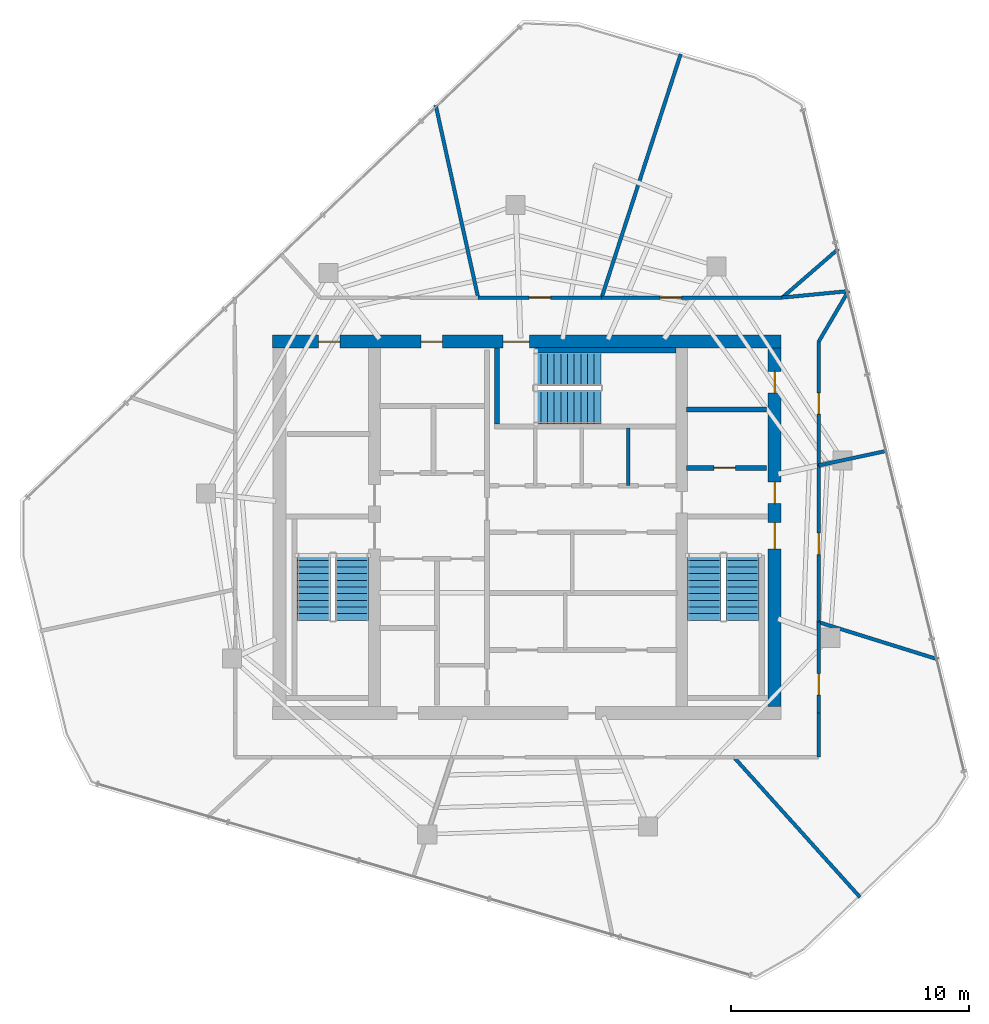
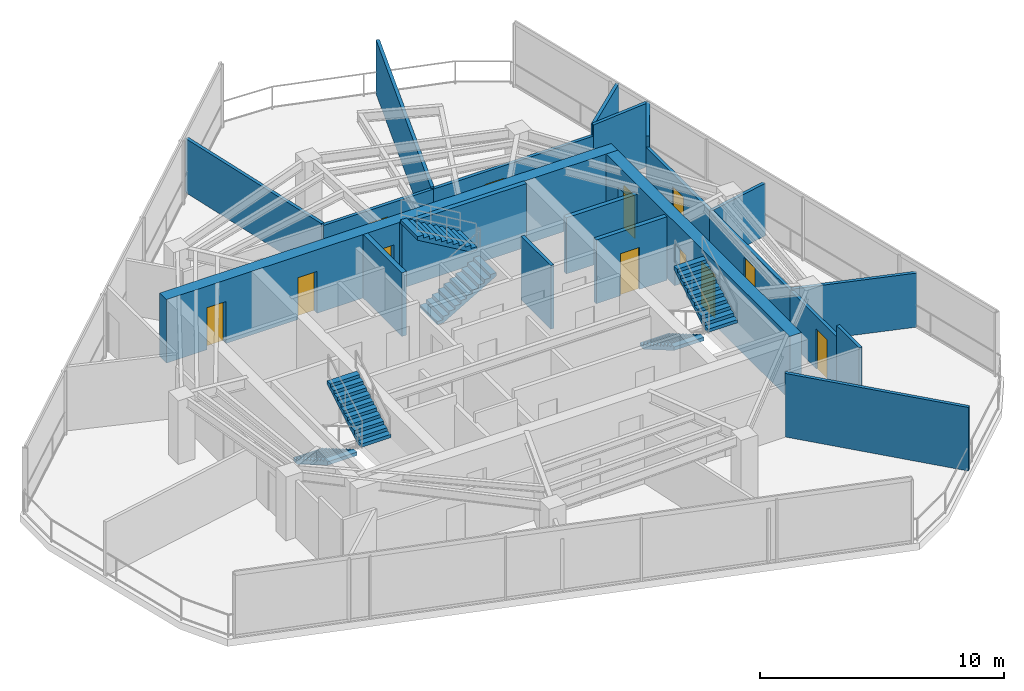
# One storey, part 16 of 19: 21 walls, 12 doors, 6 stair flights, 12 openings, 3 elements without a shape of their own.
"""IFC4 building model written with IfcOpenShell, lengths in metres."""

from ifc_helpers import new_model, si_unit, direction, frame, frame_2d, origin, place, context, subcontext, project, spatial, polyline, rectangle, outline, extrude, material, layer, layer_set, type_object, element, fill, aggregate, save


model = new_model("IFC4")

# Units and contexts
model_context = context("Model", 3, precision=1e-05, world=origin(), true_north=direction((0.0, 1.0)))
body_context = subcontext(model_context, "Body", "Model", "MODEL_VIEW")
ifc_project = project(units=[si_unit("LENGTHUNIT", "METRE"), si_unit("AREAUNIT", "SQUARE_METRE"), si_unit("VOLUMEUNIT", "CUBIC_METRE"), si_unit("PLANEANGLEUNIT", "RADIAN"), si_unit("MASSUNIT", "GRAM", prefix="KILO")], contexts=[model_context])

# Site, building, storey
site_placement = place(None, origin())
site = spatial("IfcSite", under=ifc_project, at=site_placement, CompositionType="ELEMENT")
building_placement = place(site_placement, origin())
building = spatial("IfcBuilding", under=site, at=building_placement, Name="Qarnah Convention Tower", CompositionType="ELEMENT")
storey_placement = place(building_placement, frame((0.0, 0.0, 231.89990234375)))
storey = spatial("IfcBuildingStorey", under=building, at=storey_placement, Name="L62", CompositionType="ELEMENT", Elevation=231.89990234375)

# Wall, openings, doors
ifc_material_1 = material(Name="Concrete C60/75", Category="concrete")
ifc_layer_1 = layer(ifc_material_1, 0.550048828125)
ifc_layer_set_1 = layer_set([ifc_layer_1], Name="Concrete C60/75")
wall_type_1 = type_object("IfcWallType", Name="WL-CORE-550", PredefinedType="SHEAR", material=ifc_layer_set_1)
wall_1_placement = place(storey_placement, frame((26.52490234375, 34.199951171875, 0.0), z_axis=(0.0, 0.0, 1.0), x_axis=(1.0, 0.0, 0.0)))
wall_1 = element("IfcWall", 1, at=wall_1_placement, inside=storey, type_object=wall_type_1, Name="L62 core north shear wall", PredefinedType="SHEAR", context=body_context, shape_type="SweptSolid", body=[
    extrude(rectangle(XDim=21.35009765625, YDim=0.550048828125, at=frame_2d((10.675048828125, 0.0))), origin(), (0.0, 0.0, 1.0), 3.18017578125),
])
opening_1_placement = place(wall_1_placement, frame((9.675048828125, 0.0, 0.0)))
opening_1 = element("IfcOpeningElement", 2, at=opening_1_placement, cuts=wall_1, Name="Opening D-6203", PredefinedType="OPENING", context=body_context, shape_type="SweptSolid", body=[
    extrude(rectangle(XDim=1.10009765625, YDim=2.14990234375, at=frame_2d((0.550048828125, 1.074951171875))), frame((0.0, 0.284912109375, 0.0), z_axis=(0.0, -1.0, 0.0), x_axis=(1.0, 0.0, 0.0)), (0.0, 0.0, 1.0), 0.570068359375),
])
opening_2_placement = place(wall_1_placement, frame((1.925048828125, 0.0, 0.0)))
opening_2 = element("IfcOpeningElement", 3, at=opening_2_placement, cuts=wall_1, Name="Opening D-6209", PredefinedType="OPENING", context=body_context, shape_type="SweptSolid", body=[
    extrude(rectangle(XDim=0.89990234375, YDim=2.10009765625, at=frame_2d((0.449951171875, 1.050048828125))), frame((0.0, 0.284912109375, 0.0), z_axis=(0.0, -1.0, 0.0), x_axis=(1.0, 0.0, 0.0)), (0.0, 0.0, 1.0), 0.570068359375),
])
opening_3_placement = place(wall_1_placement, frame((6.22509765625, 0.0, 0.0)))
opening_3 = element("IfcOpeningElement", 4, at=opening_3_placement, cuts=wall_1, Name="Opening D-6210", PredefinedType="OPENING", context=body_context, shape_type="SweptSolid", body=[
    extrude(rectangle(XDim=0.89990234375, YDim=2.10009765625, at=frame_2d((0.449951171875, 1.050048828125))), frame((0.0, 0.284912109375, 0.0), z_axis=(0.0, -1.0, 0.0), x_axis=(1.0, 0.0, 0.0)), (0.0, 0.0, 1.0), 0.570068359375),
])
ifc_material_2 = material(Name="Structural steel S355JR", Category="steel")
door_type_1 = type_object("IfcDoorType", Name="DT-RISER-900", OperationType="NOTDEFINED", PredefinedType="DOOR", material=ifc_material_2)
door_1_placement = place(opening_2_placement, origin())
door_1 = element("IfcDoor", 5, at=door_1_placement, inside=storey, type_object=door_type_1, Name="Door D-6209", OperationType="SINGLE_SWING_LEFT", OverallHeight=2.10009765625, OverallWidth=0.89990234375, PredefinedType="DOOR", context=body_context, shape_type="SweptSolid", body=[
    extrude(rectangle(XDim=0.89990234375, YDim=2.10009765625, at=frame_2d((0.449951171875, 1.050048828125))), frame((0.0, 0.02490234375, 0.0), z_axis=(0.0, -1.0, 0.0), x_axis=(1.0, 0.0, 0.0)), (0.0, 0.0, 1.0), 0.050048828125),
])
fill(opening_2, door_1)
door_2_placement = place(opening_3_placement, origin())
door_2 = element("IfcDoor", 6, at=door_2_placement, inside=storey, type_object=door_type_1, Name="Door D-6210", OperationType="SINGLE_SWING_RIGHT", OverallHeight=2.10009765625, OverallWidth=0.89990234375, PredefinedType="DOOR", context=body_context, shape_type="SweptSolid", body=[
    extrude(rectangle(XDim=0.89990234375, YDim=2.10009765625, at=frame_2d((0.449951171875, 1.050048828125))), frame((0.0, 0.02490234375, 0.0), z_axis=(0.0, -1.0, 0.0), x_axis=(1.0, 0.0, 0.0)), (0.0, 0.0, 1.0), 0.050048828125),
])
fill(opening_3, door_2)
door_type_2 = type_object("IfcDoorType", Name="DT-STAIR-1100", OperationType="NOTDEFINED", PredefinedType="DOOR", material=ifc_material_2)
door_3_placement = place(opening_1_placement, origin())
door_3 = element("IfcDoor", 7, at=door_3_placement, inside=storey, type_object=door_type_2, Name="Door D-6203", OperationType="SINGLE_SWING_LEFT", OverallHeight=2.14990234375, OverallWidth=1.10009765625, PredefinedType="DOOR", context=body_context, shape_type="SweptSolid", body=[
    extrude(rectangle(XDim=1.10009765625, YDim=2.14990234375, at=frame_2d((0.550048828125, 1.074951171875))), frame((0.0, 0.02490234375, 0.0), z_axis=(0.0, -1.0, 0.0), x_axis=(1.0, 0.0, 0.0)), (0.0, 0.0, 1.0), 0.050048828125),
])
fill(opening_1, door_3)

wall_2_placement = place(storey_placement, frame((47.60009765625, 18.875, 0.0), z_axis=(0.0, 0.0, 1.0), x_axis=(0.0, 1.0, 0.0)))
wall_2 = element("IfcWall", 8, at=wall_2_placement, inside=storey, type_object=wall_type_1, Name="L62 core east shear wall", PredefinedType="SHEAR", context=body_context, shape_type="SweptSolid", body=[
    extrude(rectangle(XDim=15.050048828125, YDim=0.550048828125, at=frame_2d((7.52490234375, 0.0))), origin(), (0.0, 0.0, 1.0), 3.18017578125),
])
opening_4_placement = place(wall_2_placement, frame((6.625, 0.0, 0.0)))
opening_4 = element("IfcOpeningElement", 9, at=opening_4_placement, cuts=wall_2, Name="Opening D-6202", PredefinedType="OPENING", context=body_context, shape_type="SweptSolid", body=[
    extrude(rectangle(XDim=1.10009765625, YDim=2.14990234375, at=frame_2d((0.550048828125, 1.074951171875))), frame((0.0, 0.284912109375, 0.0), z_axis=(0.0, -1.0, 0.0), x_axis=(1.0, 0.0, 0.0)), (0.0, 0.0, 1.0), 0.570068359375),
])
opening_5_placement = place(wall_2_placement, frame((8.52490234375, 0.0, 0.0)))
opening_5 = element("IfcOpeningElement", 10, at=opening_5_placement, cuts=wall_2, Name="Opening D-6206", PredefinedType="OPENING", context=body_context, shape_type="SweptSolid", body=[
    extrude(rectangle(XDim=0.89990234375, YDim=2.10009765625, at=frame_2d((0.449951171875, 1.050048828125))), frame((0.0, 0.284912109375, 0.0), z_axis=(0.0, -1.0, 0.0), x_axis=(1.0, 0.0, 0.0)), (0.0, 0.0, 1.0), 0.570068359375),
])
opening_6_placement = place(wall_2_placement, frame((13.175048828125, 0.0, 0.0)))
opening_6 = element("IfcOpeningElement", 11, at=opening_6_placement, cuts=wall_2, Name="Opening D-6212", PredefinedType="OPENING", context=body_context, shape_type="SweptSolid", body=[
    extrude(rectangle(XDim=0.89990234375, YDim=2.10009765625, at=frame_2d((0.449951171875, 1.050048828125))), frame((0.0, 0.284912109375, 0.0), z_axis=(0.0, -1.0, 0.0), x_axis=(1.0, 0.0, 0.0)), (0.0, 0.0, 1.0), 0.570068359375),
])
door_4_placement = place(opening_5_placement, origin())
door_4 = element("IfcDoor", 12, at=door_4_placement, inside=storey, type_object=door_type_1, Name="Door D-6206", OperationType="SINGLE_SWING_RIGHT", OverallHeight=2.10009765625, OverallWidth=0.89990234375, PredefinedType="DOOR", context=body_context, shape_type="SweptSolid", body=[
    extrude(rectangle(XDim=0.89990234375, YDim=2.10009765625, at=frame_2d((0.449951171875, 1.050048828125))), frame((0.0, 0.02490234375, 0.0), z_axis=(0.0, -1.0, 0.0), x_axis=(1.0, 0.0, 0.0)), (0.0, 0.0, 1.0), 0.050048828125),
])
fill(opening_5, door_4)
door_5_placement = place(opening_6_placement, origin())
door_5 = element("IfcDoor", 13, at=door_5_placement, inside=storey, type_object=door_type_1, Name="Door D-6212", OperationType="SINGLE_SWING_RIGHT", OverallHeight=2.10009765625, OverallWidth=0.89990234375, PredefinedType="DOOR", context=body_context, shape_type="SweptSolid", body=[
    extrude(rectangle(XDim=0.89990234375, YDim=2.10009765625, at=frame_2d((0.449951171875, 1.050048828125))), frame((0.0, 0.02490234375, 0.0), z_axis=(0.0, -1.0, 0.0), x_axis=(1.0, 0.0, 0.0)), (0.0, 0.0, 1.0), 0.050048828125),
])
fill(opening_6, door_5)
door_6_placement = place(opening_4_placement, origin())
door_6 = element("IfcDoor", 14, at=door_6_placement, inside=storey, type_object=door_type_2, Name="Door D-6202", OperationType="SINGLE_SWING_RIGHT", OverallHeight=2.14990234375, OverallWidth=1.10009765625, PredefinedType="DOOR", context=body_context, shape_type="SweptSolid", body=[
    extrude(rectangle(XDim=1.10009765625, YDim=2.14990234375, at=frame_2d((0.550048828125, 1.074951171875))), frame((0.0, 0.02490234375, 0.0), z_axis=(0.0, -1.0, 0.0), x_axis=(1.0, 0.0, 0.0)), (0.0, 0.0, 1.0), 0.050048828125),
])
fill(opening_4, door_6)

# Wall, opening, door
ifc_material_3 = material(Name="Concrete C45/55", Category="concrete")
ifc_layer_2 = layer(ifc_material_3, 0.199951171875)
ifc_layer_set_2 = layer_set([ifc_layer_2], Name="Concrete C45/55")
wall_type_2 = type_object("IfcWallType", Name="WL-CORE-PART-200", PredefinedType="SOLIDWALL", material=ifc_layer_set_2)
wall_3_placement = place(storey_placement, frame((43.89990234375, 28.89990234375, 0.0), z_axis=(0.0, 0.0, 1.0), x_axis=(1.0, 0.0, 0.0)))
wall_3 = element("IfcWall", 15, at=wall_3_placement, inside=storey, type_object=wall_type_2, Name="L62 interior wall IW-L62-EVSTN", PredefinedType="SOLIDWALL", context=body_context, shape_type="SweptSolid", body=[
    extrude(rectangle(XDim=3.35009765625, YDim=0.199951171875, at=frame_2d((1.675048828125, 0.0))), origin(), (0.0, 0.0, 1.0), 3.18017578125),
])
opening_7_placement = place(wall_3_placement, frame((1.14990234375, 0.0, 0.0)))
opening_7 = element("IfcOpeningElement", 16, at=opening_7_placement, cuts=wall_3, Name="Opening D-6211", PredefinedType="OPENING", context=body_context, shape_type="SweptSolid", body=[
    extrude(rectangle(XDim=0.89990234375, YDim=2.10009765625, at=frame_2d((0.449951171875, 1.050048828125))), frame((0.0, 0.10986328125, 0.0), z_axis=(0.0, -1.0, 0.0), x_axis=(1.0, 0.0, 0.0)), (0.0, 0.0, 1.0), 0.219970703125),
])
door_7_placement = place(opening_7_placement, origin())
door_7 = element("IfcDoor", 17, at=door_7_placement, inside=storey, type_object=door_type_1, Name="Door D-6211", OperationType="SINGLE_SWING_LEFT", OverallHeight=2.10009765625, OverallWidth=0.89990234375, PredefinedType="DOOR", context=body_context, shape_type="SweptSolid", body=[
    extrude(rectangle(XDim=0.89990234375, YDim=2.10009765625, at=frame_2d((0.449951171875, 1.050048828125))), frame((0.0, 0.02490234375, 0.0), z_axis=(0.0, -1.0, 0.0), x_axis=(1.0, 0.0, 0.0)), (0.0, 0.0, 1.0), 0.050048828125),
])
fill(opening_7, door_7)

# Walls
wall_4_placement = place(storey_placement, frame((43.89990234375, 31.35009765625, 0.0), z_axis=(0.0, 0.0, 1.0), x_axis=(1.0, 0.0, 0.0)))
element("IfcWall", 18, at=wall_4_placement, inside=storey, type_object=wall_type_2, Name="L62 interior wall IW-L62-WTRN", PredefinedType="SOLIDWALL", context=body_context, shape_type="SweptSolid", body=[
    extrude(rectangle(XDim=3.35009765625, YDim=0.199951171875, at=frame_2d((1.675048828125, 0.0))), origin(), (0.0, 0.0, 1.0), 2.80908203125),
])
ifc_layer_3 = layer(ifc_material_1, 0.219970703125)
ifc_layer_set_3 = layer_set([ifc_layer_3], Name="Concrete C60/75")
wall_type_3 = type_object("IfcWallType", Name="WL-CORE-STAIR-220", PredefinedType="SHEAR", material=ifc_layer_set_3)
wall_5_placement = place(storey_placement, frame((35.93994140625, 30.75, 0.0), z_axis=(0.0, 0.0, 1.0), x_axis=(0.0, 1.0, 0.0)))
element("IfcWall", 19, at=wall_5_placement, inside=storey, type_object=wall_type_3, Name="L62 stair shaft shear wall SW-L62-ST3W", PredefinedType="SHEAR", context=body_context, shape_type="SweptSolid", body=[
    extrude(rectangle(XDim=3.175048828125, YDim=0.219970703125, at=frame_2d((1.58740234375, 0.0))), origin(), (0.0, 0.0, 1.0), 3.18017578125),
])
wall_6_placement = place(storey_placement, frame((37.550048828125, 33.840087890625, 0.0), z_axis=(0.0, 0.0, 1.0), x_axis=(1.0, 0.0, 0.0)))
element("IfcWall", 20, at=wall_6_placement, inside=storey, type_object=wall_type_3, Name="L62 stair shaft shear wall SW-L62-ST3N", PredefinedType="SHEAR", context=body_context, shape_type="SweptSolid", body=[
    extrude(rectangle(XDim=5.89990234375, YDim=0.219970703125, at=frame_2d((2.949951171875, 0.0))), origin(), (0.0, 0.0, 1.0), 3.18017578125),
])
ifc_material_4 = material(Name="Gypsum partition board")
ifc_layer_4 = layer(ifc_material_4, 0.14990234375)
ifc_layer_set_4 = layer_set([ifc_layer_4], Name="Gypsum partition board")
wall_type_4 = type_object("IfcWallType", Name="WL-SUITE-150", PredefinedType="PARTITIONING", material=ifc_layer_set_4)
wall_7_placement = place(storey_placement, frame((41.449951171875, 28.14990234375, 0.0), z_axis=(0.0, 0.0, 1.0), x_axis=(0.0, 1.0, 0.0)))
element("IfcWall", 21, at=wall_7_placement, inside=storey, type_object=wall_type_4, Name="L62 interior wall IW-L62-PHD3", PredefinedType="PARTITIONING", context=body_context, shape_type="SweptSolid", body=[
    extrude(rectangle(XDim=2.43017578125, YDim=0.14990234375, at=frame_2d((1.215087890625, 0.0))), origin(), (0.0, 0.0, 1.0), 3.18017578125),
])
wall_8_placement = place(storey_placement, frame((40.3349609375, 36.050048828125, 0.0), z_axis=(0.0, 0.0, 1.0), x_axis=(0.308777401337, 0.951134331429, 0.0)))
element("IfcWall", 22, at=wall_8_placement, inside=storey, type_object=wall_type_4, Name="L62 interior wall IW-L62-R-01", PredefinedType="PARTITIONING", context=body_context, shape_type="SweptSolid", body=[
    extrude(rectangle(XDim=10.7490234375, YDim=0.14990234375, at=frame_2d((5.37451171875, 0.0))), origin(), (0.0, 0.0, 1.0), 2.701171875),
])
wall_9_placement = place(storey_placement, frame((33.368896484375, 44.1220703125, 0.0), z_axis=(0.0, 0.0, 1.0), x_axis=(0.215344626995, -0.976538115807, 0.0)))
element("IfcWall", 23, at=wall_9_placement, inside=storey, type_object=wall_type_4, Name="L62 interior wall IW-L62-R-02", PredefinedType="PARTITIONING", context=body_context, shape_type="SweptSolid", body=[
    extrude(rectangle(XDim=8.265869140625, YDim=0.14990234375, at=frame_2d((4.1328125, 0.0))), origin(), (0.0, 0.0, 1.0), 2.705078125),
])

# Wall, opening, door
wall_10_placement = place(storey_placement, frame((35.14892578125, 36.050048828125, 0.0), z_axis=(0.0, 0.0, 1.0), x_axis=(1.0, 0.0, 0.0)))
wall_10 = element("IfcWall", 24, at=wall_10_placement, inside=storey, type_object=wall_type_4, Name="L62 interior wall IW-L62-R-03", PredefinedType="PARTITIONING", context=body_context, shape_type="SweptSolid", body=[
    extrude(rectangle(XDim=5.18603515625, YDim=0.14990234375, at=frame_2d((2.593017578125, 0.0))), origin(), (0.0, 0.0, 1.0), 2.625),
])
opening_8_placement = place(wall_10_placement, frame((2.14306640625, 0.0, 0.0)))
opening_8 = element("IfcOpeningElement", 25, at=opening_8_placement, cuts=wall_10, Name="Opening D-6220", PredefinedType="OPENING", context=body_context, shape_type="SweptSolid", body=[
    extrude(rectangle(XDim=0.89990234375, YDim=2.0, at=frame_2d((0.449951171875, 1.0))), frame((0.0, 0.0849609375, 0.0), z_axis=(0.0, -1.0, 0.0), x_axis=(1.0, 0.0, 0.0)), (0.0, 0.0, 1.0), 0.169921875),
])
door_type_3 = type_object("IfcDoorType", Name="DT-PLANT-900", OperationType="NOTDEFINED", PredefinedType="DOOR", material=ifc_material_2)
door_8_placement = place(opening_8_placement, origin())
door_8 = element("IfcDoor", 26, at=door_8_placement, inside=storey, type_object=door_type_3, Name="Door D-6220", OperationType="SINGLE_SWING_RIGHT", OverallHeight=2.0, OverallWidth=0.89990234375, PredefinedType="DOOR", context=body_context, shape_type="SweptSolid", body=[
    extrude(rectangle(XDim=0.89990234375, YDim=2.0, at=frame_2d((0.449951171875, 1.0))), frame((0.0, 0.02490234375, 0.0), z_axis=(0.0, -1.0, 0.0), x_axis=(1.0, 0.0, 0.0)), (0.0, 0.0, 1.0), 0.050048828125),
])
fill(opening_8, door_8)

# Walls
wall_11_placement = place(storey_placement, frame((51.18408203125, 10.8740234375, 0.0), z_axis=(0.0, 0.0, 1.0), x_axis=(-0.669438660115, 0.742867336975, 0.0)))
element("IfcWall", 27, at=wall_11_placement, inside=storey, type_object=wall_type_4, Name="L62 interior wall IW-L62-R-18", PredefinedType="PARTITIONING", context=body_context, shape_type="SweptSolid", body=[
    extrude(rectangle(XDim=7.909912109375, YDim=0.14990234375, at=frame_2d((3.955078125, 0.0))), origin(), (0.0, 0.0, 1.0), 3.18017578125),
])
wall_12_placement = place(storey_placement, frame((54.464111328125, 20.85693359375, 0.0), z_axis=(0.0, 0.0, 1.0), x_axis=(-0.954693131117, 0.297592045253, 0.0)))
element("IfcWall", 28, at=wall_12_placement, inside=storey, type_object=wall_type_4, Name="L62 interior wall IW-L62-R-20", PredefinedType="PARTITIONING", context=body_context, shape_type="SweptSolid", body=[
    extrude(rectangle(XDim=5.252197265625, YDim=0.14990234375, at=frame_2d((2.6259765625, 0.0))), origin(), (0.0, 0.0, 1.0), 2.705078125),
])

# Wall, opening, door
wall_13_placement = place(storey_placement, frame((49.449951171875, 22.419921875, 0.0), z_axis=(0.0, 0.0, 1.0), x_axis=(0.0, -1.0, 0.0)))
wall_13 = element("IfcWall", 29, at=wall_13_placement, inside=storey, type_object=wall_type_4, Name="L62 interior wall IW-L62-R-21", PredefinedType="PARTITIONING", context=body_context, shape_type="SweptSolid", body=[
    extrude(rectangle(XDim=3.81982421875, YDim=0.14990234375, at=frame_2d((1.909912109375, 0.0))), origin(), (0.0, 0.0, 1.0), 2.625),
])
opening_9_placement = place(wall_13_placement, frame((2.156982421875, 0.0, 0.0)))
opening_9 = element("IfcOpeningElement", 30, at=opening_9_placement, cuts=wall_13, Name="Opening D-6228", PredefinedType="OPENING", context=body_context, shape_type="SweptSolid", body=[
    extrude(rectangle(XDim=0.89990234375, YDim=2.0, at=frame_2d((0.449951171875, 1.0))), frame((0.0, 0.0849609375, 0.0), z_axis=(0.0, -1.0, 0.0), x_axis=(1.0, 0.0, 0.0)), (0.0, 0.0, 1.0), 0.169921875),
])
door_9_placement = place(opening_9_placement, origin())
door_9 = element("IfcDoor", 31, at=door_9_placement, inside=storey, type_object=door_type_3, Name="Door D-6228", OperationType="SINGLE_SWING_RIGHT", OverallHeight=2.0, OverallWidth=0.89990234375, PredefinedType="DOOR", context=body_context, shape_type="SweptSolid", body=[
    extrude(rectangle(XDim=0.89990234375, YDim=2.0, at=frame_2d((0.449951171875, 1.0))), frame((0.0, 0.02490234375, 0.0), z_axis=(0.0, -1.0, 0.0), x_axis=(1.0, 0.0, 0.0)), (0.0, 0.0, 1.0), 0.050048828125),
])
fill(opening_9, door_9)

# Walls
wall_14_placement = place(storey_placement, frame((49.449951171875, 18.60009765625, 0.0), z_axis=(0.0, 0.0, 1.0), x_axis=(0.0, -1.0, 0.0)))
element("IfcWall", 32, at=wall_14_placement, inside=storey, type_object=wall_type_4, Name="L62 interior wall IW-L62-R-22", PredefinedType="PARTITIONING", context=body_context, shape_type="SweptSolid", body=[
    extrude(rectangle(XDim=1.85009765625, YDim=0.14990234375, at=frame_2d((0.925048828125, 0.0))), origin(), (0.0, 0.0, 1.0), 3.18017578125),
])
wall_15_placement = place(storey_placement, frame((52.319091796875, 29.617919921875, 0.0), z_axis=(0.0, 0.0, 1.0), x_axis=(-0.977858392213, -0.209267686897, 0.0)))
element("IfcWall", 33, at=wall_15_placement, inside=storey, type_object=wall_type_4, Name="L62 interior wall IW-L62-R-24", PredefinedType="PARTITIONING", context=body_context, shape_type="SweptSolid", body=[
    extrude(rectangle(XDim=2.93408203125, YDim=0.14990234375, at=frame_2d((1.467041015625, 0.0))), origin(), (0.0, 0.0, 1.0), 2.625),
])

# Wall, opening, door
wall_16_placement = place(storey_placement, frame((49.449951171875, 29.00390625, 0.0), z_axis=(0.0, 0.0, 1.0), x_axis=(0.0, -1.0, 0.0)))
wall_16 = element("IfcWall", 34, at=wall_16_placement, inside=storey, type_object=wall_type_4, Name="L62 interior wall IW-L62-R-25", PredefinedType="PARTITIONING", context=body_context, shape_type="SweptSolid", body=[
    extrude(rectangle(XDim=6.583984375, YDim=0.14990234375, at=frame_2d((3.2919921875, 0.0))), origin(), (0.0, 0.0, 1.0), 2.625),
])
opening_10_placement = place(wall_16_placement, frame((2.842041015625, 0.0, 0.0)))
opening_10 = element("IfcOpeningElement", 35, at=opening_10_placement, cuts=wall_16, Name="Opening D-6229", PredefinedType="OPENING", context=body_context, shape_type="SweptSolid", body=[
    extrude(rectangle(XDim=0.89990234375, YDim=2.0, at=frame_2d((0.449951171875, 1.0))), frame((0.0, 0.0849609375, 0.0), z_axis=(0.0, -1.0, 0.0), x_axis=(1.0, 0.0, 0.0)), (0.0, 0.0, 1.0), 0.169921875),
])
door_10_placement = place(opening_10_placement, origin())
door_10 = element("IfcDoor", 36, at=door_10_placement, inside=storey, type_object=door_type_3, Name="Door D-6229", OperationType="SINGLE_SWING_LEFT", OverallHeight=2.0, OverallWidth=0.89990234375, PredefinedType="DOOR", context=body_context, shape_type="SweptSolid", body=[
    extrude(rectangle(XDim=0.89990234375, YDim=2.0, at=frame_2d((0.449951171875, 1.0))), frame((0.0, 0.02490234375, 0.0), z_axis=(0.0, -1.0, 0.0), x_axis=(1.0, 0.0, 0.0)), (0.0, 0.0, 1.0), 0.050048828125),
])
fill(opening_10, door_10)

# Walls
wall_17_placement = place(storey_placement, frame((50.26708984375, 38.089111328125, 0.0), z_axis=(0.0, 0.0, 1.0), x_axis=(-0.75532132491, -0.655354633871, 0.0)))
element("IfcWall", 37, at=wall_17_placement, inside=storey, type_object=wall_type_4, Name="L62 interior wall IW-L62-R-26", PredefinedType="PARTITIONING", context=body_context, shape_type="SweptSolid", body=[
    extrude(rectangle(XDim=3.111328125, YDim=0.14990234375, at=frame_2d((1.5556640625, 0.0))), origin(), (0.0, 0.0, 1.0), 3.18017578125),
])
wall_18_placement = place(storey_placement, frame((47.9169921875, 36.050048828125, 0.0), z_axis=(0.0, 0.0, 1.0), x_axis=(0.995272571321, 0.097121103663, 0.0)))
element("IfcWall", 38, at=wall_18_placement, inside=storey, type_object=wall_type_4, Name="L62 interior wall IW-L62-R-27", PredefinedType="PARTITIONING", context=body_context, shape_type="SweptSolid", body=[
    extrude(rectangle(XDim=2.790283203125, YDim=0.14990234375, at=frame_2d((1.39501953125, 0.0))), origin(), (0.0, 0.0, 1.0), 3.18017578125),
])
wall_19_placement = place(storey_placement, frame((50.694091796875, 36.321044921875, 0.0), z_axis=(0.0, 0.0, 1.0), x_axis=(-0.505943702969, -0.862566501451, 0.0)))
element("IfcWall", 39, at=wall_19_placement, inside=storey, type_object=wall_type_4, Name="L62 interior wall IW-L62-R-28", PredefinedType="PARTITIONING", context=body_context, shape_type="SweptSolid", body=[
    extrude(rectangle(XDim=2.458984375, YDim=0.14990234375, at=frame_2d((1.2294921875, 0.0))), origin(), (0.0, 0.0, 1.0), 3.18017578125),
])

# Wall, opening, door
wall_20_placement = place(storey_placement, frame((49.449951171875, 34.199951171875, 0.0), z_axis=(0.0, 0.0, 1.0), x_axis=(0.0, -1.0, 0.0)))
wall_20 = element("IfcWall", 40, at=wall_20_placement, inside=storey, type_object=wall_type_4, Name="L62 interior wall IW-L62-R-29", PredefinedType="PARTITIONING", context=body_context, shape_type="SweptSolid", body=[
    extrude(rectangle(XDim=5.196044921875, YDim=0.14990234375, at=frame_2d((2.59814453125, 0.0))), origin(), (0.0, 0.0, 1.0), 2.625),
])
opening_11_placement = place(wall_20_placement, frame((2.14794921875, 0.0, 0.0)))
opening_11 = element("IfcOpeningElement", 41, at=opening_11_placement, cuts=wall_20, Name="Opening D-6230", PredefinedType="OPENING", context=body_context, shape_type="SweptSolid", body=[
    extrude(rectangle(XDim=0.89990234375, YDim=2.0, at=frame_2d((0.449951171875, 1.0))), frame((0.0, 0.0849609375, 0.0), z_axis=(0.0, -1.0, 0.0), x_axis=(1.0, 0.0, 0.0)), (0.0, 0.0, 1.0), 0.169921875),
])
door_11_placement = place(opening_11_placement, origin())
door_11 = element("IfcDoor", 42, at=door_11_placement, inside=storey, type_object=door_type_3, Name="Door D-6230", OperationType="SINGLE_SWING_RIGHT", OverallHeight=2.0, OverallWidth=0.89990234375, PredefinedType="DOOR", context=body_context, shape_type="SweptSolid", body=[
    extrude(rectangle(XDim=0.89990234375, YDim=2.0, at=frame_2d((0.449951171875, 1.0))), frame((0.0, 0.02490234375, 0.0), z_axis=(0.0, -1.0, 0.0), x_axis=(1.0, 0.0, 0.0)), (0.0, 0.0, 1.0), 0.050048828125),
])
fill(opening_11, door_11)

wall_21_placement = place(storey_placement, frame((40.3349609375, 36.050048828125, 0.0), z_axis=(0.0, 0.0, 1.0), x_axis=(1.0, 0.0, 0.0)))
wall_21 = element("IfcWall", 43, at=wall_21_placement, inside=storey, type_object=wall_type_4, Name="L62 interior wall IW-L62-R-30", PredefinedType="PARTITIONING", context=body_context, shape_type="SweptSolid", body=[
    extrude(rectangle(XDim=7.58203125, YDim=0.14990234375, at=frame_2d((3.791015625, 0.0))), origin(), (0.0, 0.0, 1.0), 2.625),
])
opening_12_placement = place(wall_21_placement, frame((2.455078125, 0.0, 0.0)))
opening_12 = element("IfcOpeningElement", 44, at=opening_12_placement, cuts=wall_21, Name="Opening D-6231", PredefinedType="OPENING", context=body_context, shape_type="SweptSolid", body=[
    extrude(rectangle(XDim=0.89990234375, YDim=2.0, at=frame_2d((0.449951171875, 1.0))), frame((0.0, 0.0849609375, 0.0), z_axis=(0.0, -1.0, 0.0), x_axis=(1.0, 0.0, 0.0)), (0.0, 0.0, 1.0), 0.169921875),
])
door_12_placement = place(opening_12_placement, origin())
door_12 = element("IfcDoor", 45, at=door_12_placement, inside=storey, type_object=door_type_3, Name="Door D-6231", OperationType="SINGLE_SWING_LEFT", OverallHeight=2.0, OverallWidth=0.89990234375, PredefinedType="DOOR", context=body_context, shape_type="SweptSolid", body=[
    extrude(rectangle(XDim=0.89990234375, YDim=2.0, at=frame_2d((0.449951171875, 1.0))), frame((0.0, 0.02490234375, 0.0), z_axis=(0.0, -1.0, 0.0), x_axis=(1.0, 0.0, 0.0)), (0.0, 0.0, 1.0), 0.050048828125),
])
fill(opening_12, door_12)

# Stair, stair flights
ifc_material_5 = material(Name="Concrete C50/60", Category="concrete")
stair_type = type_object("IfcStairType", Name="STR-OFF", PredefinedType="HALF_TURN_STAIR", material=ifc_material_5)
stair_1_placement = place(storey_placement, origin())
stair_1 = element("IfcStair", 46, at=stair_1_placement, inside=storey, type_object=stair_type, Name="L62 Core exit stair ST-1", PredefinedType="HALF_TURN_STAIR")
stair_flight_type = type_object("IfcStairFlightType", Name="FLT-OFF", PredefinedType="STRAIGHT", material=ifc_material_5)
stair_flight_1_placement = place(storey_placement, frame((28.25, 25.300048828125, 0.0), z_axis=(0.0, 0.0, 1.0), x_axis=(0.0, -1.0, 0.0)))
stair_flight_1 = element("IfcStairFlight", 47, at=stair_flight_1_placement, type_object=stair_flight_type, Name="ST-1 flight 1", NumberOfRisers=11, NumberOfTreads=10, PredefinedType="STRAIGHT", RiserHeight=0.163636364, TreadLength=0.28, context=body_context, shape_type="SweptSolid", body=[
    extrude(outline(polyline([(0.0, 0.0), (0.0, 0.16357421875), (0.280029296875, 0.16357421875), (0.280029296875, 0.327392578125), (0.56005859375, 0.327392578125), (0.56005859375, 0.490966796875), (0.840087890625, 0.490966796875), (0.840087890625, 0.654541015625), (1.1201171875, 0.654541015625), (1.1201171875, 0.818115234375), (1.39990234375, 0.818115234375), (1.39990234375, 0.98193359375), (1.679931640625, 0.98193359375), (1.679931640625, 1.1455078125), (1.9599609375, 1.1455078125), (1.9599609375, 1.30908203125), (2.239990234375, 1.30908203125), (2.239990234375, 1.47265625), (2.52001953125, 1.47265625), (2.52001953125, 1.636474609375), (2.800048828125, 1.636474609375), (2.800048828125, 1.800048828125), (2.800048828125, 1.462646484375), (0.297119140625, 0.0), (0.0, 0.0)])), frame((0.0, 0.699951171875, 0.0), z_axis=(0.0, -1.0, 0.0), x_axis=(1.0, 0.0, 0.0)), (0.0, 0.0, 1.0), 1.39990234375),
])
stair_flight_2_placement = place(storey_placement, frame((29.85009765625, 22.5, 1.800048828125), z_axis=(0.0, 0.0, 1.0), x_axis=(0.0, 1.0, 0.0)))
stair_flight_2 = element("IfcStairFlight", 48, at=stair_flight_2_placement, type_object=stair_flight_type, Name="ST-1 flight 2", NumberOfRisers=11, NumberOfTreads=10, PredefinedType="STRAIGHT", RiserHeight=0.163636364, TreadLength=0.28, context=body_context, shape_type="SweptSolid", body=[
    extrude(outline(polyline([(0.0, 0.0), (0.0, 0.16357421875), (0.280029296875, 0.16357421875), (0.280029296875, 0.327392578125), (0.56005859375, 0.327392578125), (0.56005859375, 0.490966796875), (0.840087890625, 0.490966796875), (0.840087890625, 0.654541015625), (1.1201171875, 0.654541015625), (1.1201171875, 0.818115234375), (1.39990234375, 0.818115234375), (1.39990234375, 0.98193359375), (1.679931640625, 0.98193359375), (1.679931640625, 1.1455078125), (1.9599609375, 1.1455078125), (1.9599609375, 1.30908203125), (2.239990234375, 1.30908203125), (2.239990234375, 1.47265625), (2.52001953125, 1.47265625), (2.52001953125, 1.636474609375), (2.800048828125, 1.636474609375), (2.800048828125, 1.800048828125), (2.800048828125, 1.462646484375), (0.297119140625, 0.0), (0.0, 0.0)])), frame((0.0, 0.699951171875, 0.0), z_axis=(0.0, -1.0, 0.0), x_axis=(1.0, 0.0, 0.0)), (0.0, 0.0, 1.0), 1.39990234375),
])
aggregate(stair_1, [stair_flight_1, stair_flight_2])

stair_2_placement = place(storey_placement, origin())
stair_2 = element("IfcStair", 49, at=stair_2_placement, inside=storey, type_object=stair_type, Name="L62 Core exit stair ST-2", PredefinedType="HALF_TURN_STAIR")
stair_flight_3_placement = place(storey_placement, frame((44.64990234375, 25.300048828125, 0.0), z_axis=(0.0, 0.0, 1.0), x_axis=(0.0, -1.0, 0.0)))
stair_flight_3 = element("IfcStairFlight", 50, at=stair_flight_3_placement, type_object=stair_flight_type, Name="ST-2 flight 1", NumberOfRisers=11, NumberOfTreads=10, PredefinedType="STRAIGHT", RiserHeight=0.163636364, TreadLength=0.28, context=body_context, shape_type="SweptSolid", body=[
    extrude(outline(polyline([(0.0, 0.0), (0.0, 0.16357421875), (0.280029296875, 0.16357421875), (0.280029296875, 0.327392578125), (0.56005859375, 0.327392578125), (0.56005859375, 0.490966796875), (0.840087890625, 0.490966796875), (0.840087890625, 0.654541015625), (1.1201171875, 0.654541015625), (1.1201171875, 0.818115234375), (1.39990234375, 0.818115234375), (1.39990234375, 0.98193359375), (1.679931640625, 0.98193359375), (1.679931640625, 1.1455078125), (1.9599609375, 1.1455078125), (1.9599609375, 1.30908203125), (2.239990234375, 1.30908203125), (2.239990234375, 1.47265625), (2.52001953125, 1.47265625), (2.52001953125, 1.636474609375), (2.800048828125, 1.636474609375), (2.800048828125, 1.800048828125), (2.800048828125, 1.462646484375), (0.297119140625, 0.0), (0.0, 0.0)])), frame((0.0, 0.699951171875, 0.0), z_axis=(0.0, -1.0, 0.0), x_axis=(1.0, 0.0, 0.0)), (0.0, 0.0, 1.0), 1.39990234375),
])
stair_flight_4_placement = place(storey_placement, frame((46.25, 22.5, 1.800048828125), z_axis=(0.0, 0.0, 1.0), x_axis=(0.0, 1.0, 0.0)))
stair_flight_4 = element("IfcStairFlight", 51, at=stair_flight_4_placement, type_object=stair_flight_type, Name="ST-2 flight 2", NumberOfRisers=11, NumberOfTreads=10, PredefinedType="STRAIGHT", RiserHeight=0.163636364, TreadLength=0.28, context=body_context, shape_type="SweptSolid", body=[
    extrude(outline(polyline([(0.0, 0.0), (0.0, 0.16357421875), (0.280029296875, 0.16357421875), (0.280029296875, 0.327392578125), (0.56005859375, 0.327392578125), (0.56005859375, 0.490966796875), (0.840087890625, 0.490966796875), (0.840087890625, 0.654541015625), (1.1201171875, 0.654541015625), (1.1201171875, 0.818115234375), (1.39990234375, 0.818115234375), (1.39990234375, 0.98193359375), (1.679931640625, 0.98193359375), (1.679931640625, 1.1455078125), (1.9599609375, 1.1455078125), (1.9599609375, 1.30908203125), (2.239990234375, 1.30908203125), (2.239990234375, 1.47265625), (2.52001953125, 1.47265625), (2.52001953125, 1.636474609375), (2.800048828125, 1.636474609375), (2.800048828125, 1.800048828125), (2.800048828125, 1.462646484375), (0.297119140625, 0.0), (0.0, 0.0)])), frame((0.0, 0.699951171875, 0.0), z_axis=(0.0, -1.0, 0.0), x_axis=(1.0, 0.0, 0.0)), (0.0, 0.0, 1.0), 1.39990234375),
])
aggregate(stair_2, [stair_flight_3, stair_flight_4])

stair_3_placement = place(storey_placement, origin())
stair_3 = element("IfcStair", 52, at=stair_3_placement, inside=storey, type_object=stair_type, Name="L62 Core exit stair ST-3", PredefinedType="HALF_TURN_STAIR")
stair_flight_5_placement = place(storey_placement, frame((37.5, 31.449951171875, 0.0), z_axis=(0.0, 0.0, 1.0), x_axis=(1.0, 0.0, 0.0)))
stair_flight_5 = element("IfcStairFlight", 53, at=stair_flight_5_placement, type_object=stair_flight_type, Name="ST-3 flight 1", NumberOfRisers=11, NumberOfTreads=10, PredefinedType="STRAIGHT", RiserHeight=0.163636364, TreadLength=0.28, context=body_context, shape_type="SweptSolid", body=[
    extrude(outline(polyline([(0.0, 0.0), (0.0, 0.16357421875), (0.280029296875, 0.16357421875), (0.280029296875, 0.327392578125), (0.56005859375, 0.327392578125), (0.56005859375, 0.490966796875), (0.840087890625, 0.490966796875), (0.840087890625, 0.654541015625), (1.1201171875, 0.654541015625), (1.1201171875, 0.818115234375), (1.39990234375, 0.818115234375), (1.39990234375, 0.98193359375), (1.679931640625, 0.98193359375), (1.679931640625, 1.1455078125), (1.9599609375, 1.1455078125), (1.9599609375, 1.30908203125), (2.239990234375, 1.30908203125), (2.239990234375, 1.47265625), (2.52001953125, 1.47265625), (2.52001953125, 1.636474609375), (2.800048828125, 1.636474609375), (2.800048828125, 1.800048828125), (2.800048828125, 1.462646484375), (0.297119140625, 0.0), (0.0, 0.0)])), frame((0.0, 0.699951171875, 0.0), z_axis=(0.0, -1.0, 0.0), x_axis=(1.0, 0.0, 0.0)), (0.0, 0.0, 1.0), 1.39990234375),
])
stair_flight_6_placement = place(storey_placement, frame((40.300048828125, 33.050048828125, 1.800048828125), z_axis=(0.0, 0.0, 1.0), x_axis=(-1.0, 0.0, 0.0)))
stair_flight_6 = element("IfcStairFlight", 54, at=stair_flight_6_placement, type_object=stair_flight_type, Name="ST-3 flight 2", NumberOfRisers=11, NumberOfTreads=10, PredefinedType="STRAIGHT", RiserHeight=0.163636364, TreadLength=0.28, context=body_context, shape_type="SweptSolid", body=[
    extrude(outline(polyline([(0.0, 0.0), (0.0, 0.16357421875), (0.280029296875, 0.16357421875), (0.280029296875, 0.327392578125), (0.56005859375, 0.327392578125), (0.56005859375, 0.490966796875), (0.840087890625, 0.490966796875), (0.840087890625, 0.654541015625), (1.1201171875, 0.654541015625), (1.1201171875, 0.818115234375), (1.39990234375, 0.818115234375), (1.39990234375, 0.98193359375), (1.679931640625, 0.98193359375), (1.679931640625, 1.1455078125), (1.9599609375, 1.1455078125), (1.9599609375, 1.30908203125), (2.239990234375, 1.30908203125), (2.239990234375, 1.47265625), (2.52001953125, 1.47265625), (2.52001953125, 1.636474609375), (2.800048828125, 1.636474609375), (2.800048828125, 1.800048828125), (2.800048828125, 1.462646484375), (0.297119140625, 0.0), (0.0, 0.0)])), frame((0.0, 0.699951171875, 0.0), z_axis=(0.0, -1.0, 0.0), x_axis=(1.0, 0.0, 0.0)), (0.0, 0.0, 1.0), 1.39990234375),
])
aggregate(stair_3, [stair_flight_5, stair_flight_6])

save(model, "model.ifc")
